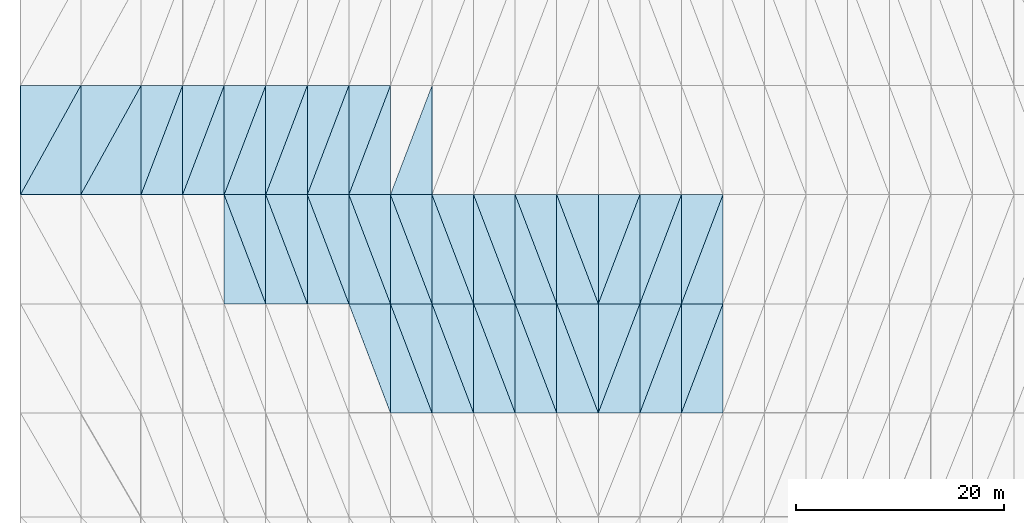
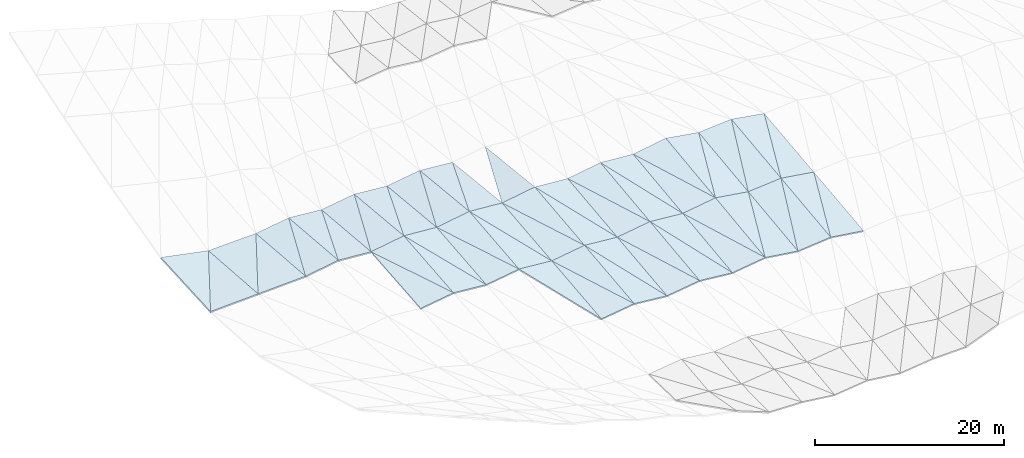
# One storey, part 26 of 42: 58 slabs, 3 elements without a shape of their own.
"""IFC4 building model written with IfcOpenShell, lengths in metres."""

from ifc_helpers import new_model, si_unit, direction, frame, origin, place, context, subcontext, project, spatial, polyline, outline, extrude, material, layer, layer_set, type_object, element, aggregate, save


model = new_model("IFC4")

# Units and contexts
model_context = context("Model", 3, precision=1e-05, world=origin(), true_north=direction((0.0, 1.0)))
body_context = subcontext(model_context, "Body", "Model", "MODEL_VIEW")
ifc_project = project(units=[si_unit("LENGTHUNIT", "METRE"), si_unit("AREAUNIT", "SQUARE_METRE"), si_unit("VOLUMEUNIT", "CUBIC_METRE"), si_unit("PLANEANGLEUNIT", "RADIAN"), si_unit("MASSUNIT", "GRAM", prefix="KILO")], contexts=[model_context])

# Site, building, storey
site_placement = place(None, origin())
site = spatial("IfcSite", under=ifc_project, at=site_placement, CompositionType="ELEMENT")
building_placement = place(site_placement, origin())
building = spatial("IfcBuilding", under=site, at=building_placement, Name="Khorjan Park Terminus", CompositionType="ELEMENT")
storey_placement = place(building_placement, frame((0.0, 0.0, 20.4)))
storey = spatial("IfcBuildingStorey", under=building, at=storey_placement, Name="L04", CompositionType="ELEMENT", Elevation=20.4)

# Roof, slabs
ifc_material = material(Name="Concrete C50/60", Category="concrete")
ifc_layer_1 = layer(ifc_material, 0.18)
ifc_layer_set_1 = layer_set([ifc_layer_1], Name="Concrete C50/60")
roof_type = type_object("IfcRoofType", Name="RF-SHELL-UPPER", PredefinedType="FREEFORM", material=ifc_layer_set_1)
roof_1_placement = place(storey_placement, origin())
roof_1 = element("IfcRoof", 1, at=roof_1_placement, inside=storey, type_object=roof_type, Name="Upper concourse upturned-corner folded concrete shell roof RF-CS1 (1)", PredefinedType="FREEFORM")
ifc_layer_2 = layer(ifc_material, 0.18)
ifc_layer_set_2 = layer_set([ifc_layer_2], Name="Concrete C50/60")
slab_type = type_object("IfcSlabType", Name="SL-SHL-180", PredefinedType="ROOF", material=ifc_layer_set_2)
slab_1_placement = place(storey_placement, frame((36.4, 57.0, 3.1516), z_axis=(-0.043506567638, 0.075417272788, 0.996202496251), x_axis=(0.999047722116, 0.0, 0.043630825519)))
slab_1 = element("IfcSlab", 2, at=slab_1_placement, type_object=slab_type, Name="Upper concourse folded concrete shell facet RS-18 (11)", PredefinedType="ROOF", context=body_context, shape_type="SweptSolid", body=[
    extrude(outline(polyline([(0.0, 0.0), (5.805528476374916, 0.0), (5.77084633316963, 10.529988753979877), (0.0, 0.0)])), origin(), (0.0, 0.0, -1.0), 0.18),
])
slab_2_placement = place(storey_placement, frame((36.4, 57.0, 3.1516), z_axis=(0.19527376683, -0.057364160891, 0.979069716125), x_axis=(0.483025953988, 0.874443537391, -0.045104630462)))
slab_2 = element("IfcSlab", 3, at=slab_2_placement, type_object=slab_type, Name="Upper concourse folded concrete shell facet RS-18 (12)", PredefinedType="ROOF", context=body_context, shape_type="SweptSolid", body=[
    extrude(outline(polyline([(0.0, 0.0), (12.007636343594022, -1.8041124150158794e-16), (9.153908773947816, 5.180195478767303), (0.0, 0.0)])), origin(), (0.0, 0.0, -1.0), 0.18),
])
slab_3_placement = place(storey_placement, frame((42.2, 57.0, 3.4049), z_axis=(-0.043486393893, 0.081299846148, 0.995740562879), x_axis=(0.999047722116, 0.0, 0.043630825519)))
slab_3 = element("IfcSlab", 4, at=slab_3_placement, type_object=slab_type, Name="Upper concourse folded concrete shell facet RS-18 (31)", PredefinedType="ROOF", context=body_context, shape_type="SweptSolid", body=[
    extrude(outline(polyline([(0.0, 0.0), (5.805528476374909, -3.469446951953614e-18), (5.76812376965722, 10.534873714379085), (0.0, 0.0)])), origin(), (0.0, 0.0, -1.0), 0.18),
])
slab_4_placement = place(storey_placement, frame((42.2, 57.0, 3.4049), z_axis=(-0.03280221704, 0.07544812666, 0.996610051495), x_axis=(0.482906257458, 0.874226845398, -0.050288858535)))
slab_4 = element("IfcSlab", 5, at=slab_4_placement, type_object=slab_type, Name="Upper concourse folded concrete shell facet RS-18 (32)", PredefinedType="ROOF", context=body_context, shape_type="SweptSolid", body=[
    extrude(outline(polyline([(0.0, 0.0), (12.010612640494237, 2.8449465006019636e-16), (9.219356490331657, 5.087762957742779), (0.0, 0.0)])), origin(), (0.0, 0.0, -1.0), 0.18),
])
slab_5_placement = place(storey_placement, frame((48.0, 57.0, 3.6582), z_axis=(-0.160231987454, 0.084325600184, 0.983470845196), x_axis=(0.986986239924, 0.0, 0.16080473314)))
slab_5 = element("IfcSlab", 6, at=slab_5_placement, type_object=slab_type, Name="Upper concourse folded concrete shell facet RS-18 (51)", PredefinedType="ROOF", context=body_context, shape_type="SweptSolid", body=[
    extrude(outline(polyline([(0.0, 0.0), (4.052741404284266, 6.938893903907228e-18), (3.9079689030386255, 10.537532017170012), (0.0, 0.0)])), origin(), (0.0, 0.0, -1.0), 0.18),
])
slab_6_placement = place(storey_placement, frame((48.0, 57.0, 3.6582), z_axis=(-0.149955326887, 0.08045668082, 0.985413680872), x_axis=(0.355908226068, 0.934259093429, -0.02211969625)))
slab_6 = element("IfcSlab", 7, at=slab_6_placement, type_object=slab_type, Name="Upper concourse folded concrete shell facet RS-18 (52)", PredefinedType="ROOF", context=body_context, shape_type="SweptSolid", body=[
    extrude(outline(polyline([(0.0, 0.0), (11.238852341765151, -3.608224830031759e-16), (9.828683696599835, 3.7923528425230444), (0.0, 0.0)])), origin(), (0.0, 0.0, -1.0), 0.18),
])
slab_7_placement = place(storey_placement, frame((52.0, 57.0, 4.3099), z_axis=(0.075059454177, 0.089234710484, 0.993178354971), x_axis=(0.997156385058, 0.0, -0.075360093801)))
slab_7 = element("IfcSlab", 8, at=slab_7_placement, type_object=slab_type, Name="Upper concourse folded concrete shell facet RS-18 (71)", PredefinedType="ROOF", context=body_context, shape_type="SweptSolid", body=[
    extrude(outline(polyline([(0.0, 0.0), (4.011406896588777, 3.469446951953614e-18), (4.082501609080427, 10.542056208437504), (0.0, 0.0)])), origin(), (0.0, 0.0, -1.0), 0.18),
])
slab_8_placement = place(storey_placement, frame((52.0, 57.0, 4.3099), z_axis=(0.0857176718, 0.08511497496, 0.992677148815), x_axis=(0.353827480175, 0.928797135458, -0.110190723013)))
slab_8 = element("IfcSlab", 9, at=slab_8_placement, type_object=slab_type, Name="Upper concourse folded concrete shell facet RS-18 (72)", PredefinedType="ROOF", context=body_context, shape_type="SweptSolid", body=[
    extrude(outline(polyline([(0.0, 0.0), (11.304944426665706, -6.938893903907228e-18), (9.851574630238854, 3.742595008123932), (0.0, 0.0)])), origin(), (0.0, 0.0, -1.0), 0.18),
])
slab_9_placement = place(storey_placement, frame((56.0, 46.5, 3.0642), z_axis=(-0.149853046941, -0.088476684571, 0.984741560314), x_axis=(0.988618677516, 0.0, 0.150443047251)))
slab_9 = element("IfcSlab", 10, at=slab_9_placement, type_object=slab_type, Name="Upper concourse folded concrete shell facet RS-18 (89)", PredefinedType="ROOF", context=body_context, shape_type="SweptSolid", body=[
    extrude(outline(polyline([(0.0, 0.0), (4.046049392926389, 0.0), (0.14192797077661495, 10.541340522491017), (0.0, 0.0)])), origin(), (0.0, 0.0, -1.0), 0.18),
])
slab_10_placement = place(storey_placement, frame((60.0, 46.5, 3.6729), z_axis=(-0.160141735554, -0.09233321476, 0.982766097292), x_axis=(0.0, 0.995615480577, 0.093540444913)))
slab_10 = element("IfcSlab", 11, at=slab_10_placement, type_object=slab_type, Name="Upper concourse folded concrete shell facet RS-18 (90)", PredefinedType="ROOF", context=body_context, shape_type="SweptSolid", body=[
    extrude(outline(polyline([(0.0, 0.0), (10.54624019496996, 0.0), (10.485270532975472, 4.052298846373042), (0.0, 0.0)])), origin(), (0.0, 0.0, -1.0), 0.18),
])
slab_11_placement = place(storey_placement, frame((56.0, 57.0, 4.0076), z_axis=(-0.160141735554, 0.09233321476, 0.982766097292), x_axis=(0.986982323482, 0.0, 0.160828769611)))
slab_11 = element("IfcSlab", 12, at=slab_11_placement, type_object=slab_type, Name="Upper concourse folded concrete shell facet RS-18 (91)", PredefinedType="ROOF", context=body_context, shape_type="SweptSolid", body=[
    extrude(outline(polyline([(0.0, 0.0), (4.052757485959406, -6.938893903907228e-18), (3.894099904737818, 10.5450467055353), (0.0, 0.0)])), origin(), (0.0, 0.0, -1.0), 0.18),
])
slab_12_placement = place(storey_placement, frame((56.0, 57.0, 4.0076), z_axis=(-0.149853046941, 0.088476684571, 0.984741560314), x_axis=(0.35583749182, 0.934073416027, -0.029774702128)))
slab_12 = element("IfcSlab", 13, at=slab_12_placement, type_object=slab_type, Name="Upper concourse folded concrete shell facet RS-18 (92)", PredefinedType="ROOF", context=body_context, shape_type="SweptSolid", body=[
    extrude(outline(polyline([(0.0, 0.0), (11.241086428366255, -4.163336342344337e-17), (9.835860322272186, 3.794187038187719), (0.0, 0.0)])), origin(), (0.0, 0.0, -1.0), 0.18),
])
slab_13_placement = place(storey_placement, frame((60.0, 46.5, 3.6729), z_axis=(0.085655436359, -0.093196666907, 0.991956414113), x_axis=(0.996292558823, 0.0, -0.086029862454)))
slab_13 = element("IfcSlab", 14, at=slab_13_placement, type_object=slab_type, Name="Upper concourse folded concrete shell facet RS-18 (109)", PredefinedType="ROOF", context=body_context, shape_type="SweptSolid", body=[
    extrude(outline(polyline([(0.0, 0.0), (4.014884949783742, -6.938893903907228e-18), (-0.0848684593112325, 10.545898709669752), (0.0, 0.0)])), origin(), (0.0, 0.0, -1.0), 0.18),
])
slab_14_placement = place(storey_placement, frame((64.0, 46.5, 3.3275), z_axis=(0.075002412752, -0.097314221658, 0.992423589172), x_axis=(0.0, 0.995226792439, 0.097589095761)))
slab_14 = element("IfcSlab", 15, at=slab_14_placement, type_object=slab_type, Name="Upper concourse folded concrete shell facet RS-18 (110)", PredefinedType="ROOF", context=body_context, shape_type="SweptSolid", body=[
    extrude(outline(polyline([(0.0, 0.0), (10.550359053605712, 1.3877787807814457e-17), (10.579860237254398, 4.011298414499142), (0.0, 0.0)])), origin(), (0.0, 0.0, -1.0), 0.18),
])
slab_15_placement = place(storey_placement, frame((60.0, 57.0, 4.6594), z_axis=(0.075002412752, 0.097314221658, 0.992423589172), x_axis=(0.997156385058, 0.0, -0.075360093801)))
slab_15 = element("IfcSlab", 16, at=slab_15_placement, type_object=slab_type, Name="Upper concourse folded concrete shell facet RS-18 (111)", PredefinedType="ROOF", context=body_context, shape_type="SweptSolid", body=[
    extrude(outline(polyline([(0.0, 0.0), (4.011406896588777, 3.469446951953614e-18), (4.088997649166053, 10.550073736003673), (0.0, 0.0)])), origin(), (0.0, 0.0, -1.0), 0.18),
])
slab_16_placement = place(storey_placement, frame((60.0, 57.0, 4.6594), z_axis=(0.085655436359, 0.093196666907, 0.991956414113), x_axis=(0.35352030815, 0.927990808895, -0.117713424606)))
slab_16 = element("IfcSlab", 17, at=slab_16_placement, type_object=slab_type, Name="Upper concourse folded concrete shell facet RS-18 (112)", PredefinedType="ROOF", context=body_context, shape_type="SweptSolid", body=[
    extrude(outline(polyline([(0.0, 0.0), (11.314767236227176, 3.885780586188048e-16), (9.860027786766928, 3.74206283942214), (0.0, 0.0)])), origin(), (0.0, 0.0, -1.0), 0.18),
])
slab_17_placement = place(storey_placement, frame((64.0, 46.5, 3.3275), z_axis=(-0.149717041847, -0.096489157808, 0.984009476482), x_axis=(0.988622353186, 0.0, 0.150418891037)))
slab_17 = element("IfcSlab", 18, at=slab_17_placement, type_object=slab_type, Name="Upper concourse folded concrete shell facet RS-18 (129)", PredefinedType="ROOF", context=body_context, shape_type="SweptSolid", body=[
    extrude(outline(polyline([(0.0, 0.0), (4.046034349829473, -6.938893903907228e-18), (0.15487129021196036, 10.549222295670335), (0.0, 0.0)])), origin(), (0.0, 0.0, -1.0), 0.18),
])
slab_18_placement = place(storey_placement, frame((68.0, 46.5, 3.9361), z_axis=(-0.159993449601, -0.100323679979, 0.982006749122), x_axis=(0.0, 0.994821970074, 0.101632907362)))
slab_18 = element("IfcSlab", 19, at=slab_18_placement, type_object=slab_type, Name="Upper concourse folded concrete shell facet RS-18 (130)", PredefinedType="ROOF", context=body_context, shape_type="SweptSolid", body=[
    extrude(outline(polyline([(0.0, 0.0), (10.554652305500166, 2.7755575615628914e-17), (10.488418139772538, 4.052200133913718), (0.0, 0.0)])), origin(), (0.0, 0.0, -1.0), 0.18),
])
slab_19_placement = place(storey_placement, frame((64.0, 57.0, 4.3571), z_axis=(-0.159993449601, 0.100323679979, 0.982006749122), x_axis=(0.986986239924, 0.0, 0.16080473314)))
slab_19 = element("IfcSlab", 20, at=slab_19_placement, type_object=slab_type, Name="Upper concourse folded concrete shell facet RS-18 (131)", PredefinedType="ROOF", context=body_context, shape_type="SweptSolid", body=[
    extrude(outline(polyline([(0.0, 0.0), (4.052741404284266, -2.7755575615628914e-17), (3.880246167045348, 10.553242662003463), (0.0, 0.0)])), origin(), (0.0, 0.0, -1.0), 0.18),
])
slab_20_placement = place(storey_placement, frame((64.0, 57.0, 4.3571), z_axis=(-0.149717041847, 0.096489157808, 0.984009476482), x_axis=(0.355745701415, 0.933832466215, -0.037442235074)))
slab_20 = element("IfcSlab", 21, at=slab_20_placement, type_object=slab_type, Name="Upper concourse folded concrete shell facet RS-18 (132)", PredefinedType="ROOF", context=body_context, shape_type="SweptSolid", body=[
    extrude(outline(polyline([(0.0, 0.0), (11.243986881884915, 3.469446951953614e-16), (9.843791420489929, 3.7960303778933184), (0.0, 0.0)])), origin(), (0.0, 0.0, -1.0), 0.18),
])
aggregate(roof_1, [slab_1, slab_2, slab_3, slab_4, slab_5, slab_6, slab_7, slab_8, slab_9, slab_10, slab_11, slab_12, slab_13, slab_14, slab_15, slab_16, slab_17, slab_18, slab_19, slab_20])

roof_2_placement = place(storey_placement, origin())
roof_2 = element("IfcRoof", 22, at=roof_2_placement, inside=storey, type_object=roof_type, Name="Upper concourse upturned-corner folded concrete shell roof RF-CS1 (2)", PredefinedType="FREEFORM")
slab_21_placement = place(storey_placement, frame((72.0, 36.0, 2.4751), z_axis=(0.085527220121, -0.105275158373, 0.990758414372), x_axis=(0.0, 0.994402068368, 0.105662322636)))
slab_21 = element("IfcSlab", 23, at=slab_21_placement, type_object=slab_type, Name="Upper concourse folded concrete shell facet RS-18 (148)", PredefinedType="ROOF", context=body_context, shape_type="SweptSolid", body=[
    extrude(outline(polyline([(0.0, 0.0), (10.559109171232203, 1.3877787807814457e-17), (10.595594371238432, 4.014710564932485), (0.0, 0.0)])), origin(), (0.0, 0.0, -1.0), 0.18),
])
slab_22_placement = place(storey_placement, frame((68.0, 46.5, 3.9361), z_axis=(0.085563070971, -0.101260194703, 0.991173715276), x_axis=(0.996294693349, 0.0, -0.086005139403)))
slab_22 = element("IfcSlab", 24, at=slab_22_placement, type_object=slab_type, Name="Upper concourse folded concrete shell facet RS-18 (149)", PredefinedType="ROOF", context=body_context, shape_type="SweptSolid", body=[
    extrude(outline(polyline([(0.0, 0.0), (4.014876348033647, -6.938893903907228e-18), (-0.09225771303801414, 10.554249087660619), (0.0, 0.0)])), origin(), (0.0, 0.0, -1.0), 0.18),
])
slab_23_placement = place(storey_placement, frame((72.0, 46.5, 3.5908), z_axis=(0.074940608988, -0.105365200067, 0.991605808645), x_axis=(0.0, 0.994402068368, 0.105662322636)))
slab_23 = element("IfcSlab", 25, at=slab_23_placement, type_object=slab_type, Name="Upper concourse folded concrete shell facet RS-18 (150)", PredefinedType="ROOF", context=body_context, shape_type="SweptSolid", body=[
    extrude(outline(polyline([(0.0, 0.0), (10.559109171232203, 2.7755575615628914e-17), (10.59105089136508, 4.011279723045371), (0.0, 0.0)])), origin(), (0.0, 0.0, -1.0), 0.18),
])
slab_24_placement = place(storey_placement, frame((68.0, 57.0, 5.0088), z_axis=(0.074940608988, 0.105365200067, 0.991605808645), x_axis=(0.997156385058, 0.0, -0.075360093801)))
slab_24 = element("IfcSlab", 26, at=slab_24_placement, type_object=slab_type, Name="Upper concourse folded concrete shell facet RS-18 (151)", PredefinedType="ROOF", context=body_context, shape_type="SweptSolid", body=[
    extrude(outline(polyline([(0.0, 0.0), (4.011406896588777, 0.0), (4.095486153242299, 10.55877441602957), (0.0, 0.0)])), origin(), (0.0, 0.0, -1.0), 0.18),
])
slab_25_placement = place(storey_placement, frame((68.0, 57.0, 5.0088), z_axis=(0.085563070971, 0.101260194703, 0.991173715276), x_axis=(0.353193862189, 0.927133888246, -0.125207224146)))
slab_25 = element("IfcSlab", 27, at=slab_25_placement, type_object=slab_type, Name="Upper concourse folded concrete shell facet RS-18 (152)", PredefinedType="ROOF", context=body_context, shape_type="SweptSolid", body=[
    extrude(outline(polyline([(0.0, 0.0), (11.325225119175336, -1.457167719820518e-16), (9.869215615922238, 3.7415596235308963), (0.0, 0.0)])), origin(), (0.0, 0.0, -1.0), 0.18),
])
slab_26_placement = place(storey_placement, frame((72.0, 36.0, 2.4751), z_axis=(-0.139238762803, -0.104633048871, 0.984715437077), x_axis=(0.990150474603, 0.0, 0.140007277109)))
slab_26 = element("IfcSlab", 28, at=slab_26_placement, type_object=slab_type, Name="Upper concourse folded concrete shell facet RS-18 (167)", PredefinedType="ROOF", context=body_context, shape_type="SweptSolid", body=[
    extrude(outline(polyline([(0.0, 0.0), (4.039790014344805, 0.0), (0.15620611907036103, 10.557953690860979), (0.0, 0.0)])), origin(), (0.0, 0.0, -1.0), 0.18),
])
slab_27_placement = place(storey_placement, frame((76.0, 36.0, 3.0407), z_axis=(-0.149531651523, -0.108453327462, 0.982791005736), x_axis=(0.0, 0.993966228284, 0.109686539877)))
slab_27 = element("IfcSlab", 29, at=slab_27_placement, type_object=slab_type, Name="Upper concourse folded concrete shell facet RS-18 (168)", PredefinedType="ROOF", context=body_context, shape_type="SweptSolid", body=[
    extrude(outline(polyline([(0.0, 0.0), (10.563739190741128, 0.0), (10.496983962571724, 4.045483617506324), (0.0, 0.0)])), origin(), (0.0, 0.0, -1.0), 0.18),
])
slab_28_placement = place(storey_placement, frame((72.0, 46.5, 3.5908), z_axis=(-0.149595752016, -0.104473330219, 0.983212303753), x_axis=(0.988622353186, 0.0, 0.150418891037)))
slab_28 = element("IfcSlab", 30, at=slab_28_placement, type_object=slab_type, Name="Upper concourse folded concrete shell facet RS-18 (169)", PredefinedType="ROOF", context=body_context, shape_type="SweptSolid", body=[
    extrude(outline(polyline([(0.0, 0.0), (4.046034349829473, -1.3877787807814457e-17), (0.16782235673026794, 10.55777543550636), (0.0, 0.0)])), origin(), (0.0, 0.0, -1.0), 0.18),
])
slab_29_placement = place(storey_placement, frame((76.0, 46.5, 4.1994), z_axis=(-0.15985918064, -0.108285184404, 0.98118263397), x_axis=(0.0, 0.993965196176, 0.109695892317)))
slab_29 = element("IfcSlab", 31, at=slab_29_placement, type_object=slab_type, Name="Upper concourse folded concrete shell facet RS-18 (170)", PredefinedType="ROOF", context=body_context, shape_type="SweptSolid", body=[
    extrude(outline(polyline([(0.0, 0.0), (10.563750159862737, 0.0), (10.492261346839747, 4.052110837528086), (0.0, 0.0)])), origin(), (0.0, 0.0, -1.0), 0.18),
])
slab_30_placement = place(storey_placement, frame((72.0, 57.0, 4.7065), z_axis=(-0.15985918064, 0.108285184404, 0.98118263397), x_axis=(0.986986239924, 0.0, 0.16080473314)))
slab_30 = element("IfcSlab", 32, at=slab_30_placement, type_object=slab_type, Name="Upper concourse folded concrete shell facet RS-18 (171)", PredefinedType="ROOF", context=body_context, shape_type="SweptSolid", body=[
    extrude(outline(polyline([(0.0, 0.0), (4.052741404284266, -1.3877787807814457e-17), (3.866400879522023, 10.562106544095803), (0.0, 0.0)])), origin(), (0.0, 0.0, -1.0), 0.18),
])
slab_31_placement = place(storey_placement, frame((76.0, 36.0, 3.0407), z_axis=(0.096067723655, -0.109179217693, 0.989368935684), x_axis=(0.995318870818, 0.0, -0.096645462356)))
slab_31 = element("IfcSlab", 33, at=slab_31_placement, type_object=slab_type, Name="Upper concourse folded concrete shell facet RS-18 (187)", PredefinedType="ROOF", context=body_context, shape_type="SweptSolid", body=[
    extrude(outline(polyline([(0.0, 0.0), (4.01881258085022, -1.3877787807814457e-17), (-0.11198309723236471, 10.563145624099587), (0.0, 0.0)])), origin(), (0.0, 0.0, -1.0), 0.18),
])
slab_32_placement = place(storey_placement, frame((80.0, 36.0, 2.6523), z_axis=(0.085451349086, -0.113298780999, 0.989879514468), x_axis=(0.0, 0.993513444635, 0.113714710263)))
slab_32 = element("IfcSlab", 34, at=slab_32_placement, type_object=slab_type, Name="Upper concourse folded concrete shell facet RS-18 (188)", PredefinedType="ROOF", context=body_context, shape_type="SweptSolid", body=[
    extrude(outline(polyline([(0.0, 0.0), (10.56855350745787, 1.3877787807814457e-17), (10.607819196911697, 4.014684333248595), (0.0, 0.0)])), origin(), (0.0, 0.0, -1.0), 0.18),
])
slab_33_placement = place(storey_placement, frame((76.0, 46.5, 4.1994), z_axis=(0.085489919992, -0.109294299545, 0.990326324838), x_axis=(0.996294693349, 0.0, -0.086005139403)))
slab_33 = element("IfcSlab", 35, at=slab_33_placement, type_object=slab_type, Name="Upper concourse folded concrete shell facet RS-18 (189)", PredefinedType="ROOF", context=body_context, shape_type="SweptSolid", body=[
    extrude(outline(polyline([(0.0, 0.0), (4.014876348033648, -1.3877787807814457e-17), (-0.09966275554064566, 10.563280019726736), (0.0, 0.0)])), origin(), (0.0, 0.0, -1.0), 0.18),
])
slab_34_placement = place(storey_placement, frame((80.0, 46.5, 3.8541), z_axis=(0.0748740157, -0.113395513215, 0.990724653653), x_axis=(0.0, 0.993513444635, 0.113714710263)))
slab_34 = element("IfcSlab", 36, at=slab_34_placement, type_object=slab_type, Name="Upper concourse folded concrete shell facet RS-18 (190)", PredefinedType="ROOF", context=body_context, shape_type="SweptSolid", body=[
    extrude(outline(polyline([(0.0, 0.0), (10.568553507457867, 1.3877787807814457e-17), (10.602929464370384, 4.011259600622521), (0.0, 0.0)])), origin(), (0.0, 0.0, -1.0), 0.18),
])
slab_35_placement = place(storey_placement, frame((80.0, 36.0, 2.6523), z_axis=(-0.139116744555, -0.112608946997, 0.983852507463), x_axis=(0.990150474603, 0.0, 0.140007277109)))
slab_35 = element("IfcSlab", 37, at=slab_35_placement, type_object=slab_type, Name="Upper concourse folded concrete shell facet RS-18 (207)", PredefinedType="ROOF", context=body_context, shape_type="SweptSolid", body=[
    extrude(outline(polyline([(0.0, 0.0), (4.039790014344805, 0.0), (0.16826074562943458, 10.567213992414475), (0.0, 0.0)])), origin(), (0.0, 0.0, -1.0), 0.18),
])
slab_36_placement = place(storey_placement, frame((84.0, 36.0, 3.2179), z_axis=(-0.149396287227, -0.116406740429, 0.981901329129), x_axis=(0.0, 0.993045884562, 0.11772795401)))
slab_36 = element("IfcSlab", 38, at=slab_36_placement, type_object=slab_type, Name="Upper concourse folded concrete shell facet RS-18 (208)", PredefinedType="ROOF", context=body_context, shape_type="SweptSolid", body=[
    extrude(outline(polyline([(0.0, 0.0), (10.573529545047862, 0.0), (10.501880312237535, 4.0453998995695954), (0.0, 0.0)])), origin(), (0.0, 0.0, -1.0), 0.18),
])
slab_37_placement = place(storey_placement, frame((80.0, 46.5, 3.8541), z_axis=(-0.149465057084, -0.112437353867, 0.982353316361), x_axis=(0.988622353186, 0.0, 0.150418891037)))
slab_37 = element("IfcSlab", 39, at=slab_37_placement, type_object=slab_type, Name="Upper concourse folded concrete shell facet RS-18 (209)", PredefinedType="ROOF", context=body_context, shape_type="SweptSolid", body=[
    extrude(outline(polyline([(0.0, 0.0), (4.046034349829473, -1.3877787807814457e-17), (0.18077342324857554, 10.567007344061373), (0.0, 0.0)])), origin(), (0.0, 0.0, -1.0), 0.18),
])
slab_38_placement = place(storey_placement, frame((84.0, 46.5, 4.4627), z_axis=(-0.159714927938, -0.116225908088, 0.980297240679), x_axis=(0.0, 0.99304477884, 0.117737280493)))
slab_38 = element("IfcSlab", 40, at=slab_38_placement, type_object=slab_type, Name="Upper concourse folded concrete shell facet RS-18 (210)", PredefinedType="ROOF", context=body_context, shape_type="SweptSolid", body=[
    extrude(outline(polyline([(0.0, 0.0), (10.573541318309585, -2.7755575615628914e-17), (10.496811932612182, 4.052014991503672), (0.0, 0.0)])), origin(), (0.0, 0.0, -1.0), 0.18),
])
slab_39_placement = place(storey_placement, frame((84.0, 36.0, 3.2179), z_axis=(0.096004075222, -0.117184161634, 0.988458946949), x_axis=(0.995316476949, 0.0, -0.096670112824)))
slab_39 = element("IfcSlab", 41, at=slab_39_placement, type_object=slab_type, Name="Upper concourse folded concrete shell facet RS-18 (227)", PredefinedType="ROOF", context=body_context, shape_type="SweptSolid", body=[
    extrude(outline(polyline([(0.0, 0.0), (4.01882224662898, 0.0), (-0.12033495644293618, 10.572844770366105), (0.0, 0.0)])), origin(), (0.0, 0.0, -1.0), 0.18),
])
slab_40_placement = place(storey_placement, frame((88.0, 36.0, 2.8294), z_axis=(0.085369967534, -0.121309578347, 0.988936780004), x_axis=(0.0, 0.992560299451, 0.121754063399)))
slab_40 = element("IfcSlab", 42, at=slab_40_placement, type_object=slab_type, Name="Upper concourse folded concrete shell facet RS-18 (228)", PredefinedType="ROOF", context=body_context, shape_type="SweptSolid", body=[
    extrude(outline(polyline([(0.0, 0.0), (10.578702377891156, 1.3877787807814457e-17), (10.620744055982932, 4.0146562228045415), (0.0, 0.0)])), origin(), (0.0, 0.0, -1.0), 0.18),
])
slab_41_placement = place(storey_placement, frame((84.0, 46.5, 4.4627), z_axis=(0.085411333623, -0.117307042022, 0.989415970146), x_axis=(0.996294693349, 0.0, -0.086005139403)))
slab_41 = element("IfcSlab", 43, at=slab_41_placement, type_object=slab_type, Name="Upper concourse folded concrete shell facet RS-18 (229)", PredefinedType="ROOF", context=body_context, shape_type="SweptSolid", body=[
    extrude(outline(polyline([(0.0, 0.0), (4.014876348033648, 0.0), (-0.10706779804327861, 10.572999219550816), (0.0, 0.0)])), origin(), (0.0, 0.0, -1.0), 0.18),
])
slab_42_placement = place(storey_placement, frame((88.0, 46.5, 4.1174), z_axis=(0.074802671681, -0.121403665054, 0.989780637526), x_axis=(0.0, 0.992561441781, 0.121744750559)))
slab_42 = element("IfcSlab", 44, at=slab_42_placement, type_object=slab_type, Name="Upper concourse folded concrete shell facet RS-18 (230)", PredefinedType="ROOF", context=body_context, shape_type="SweptSolid", body=[
    extrude(outline(polyline([(0.0, 0.0), (10.578690202950458, 0.0), (10.615493641044468, 4.011238062860949), (0.0, 0.0)])), origin(), (0.0, 0.0, -1.0), 0.18),
])
slab_43_placement = place(storey_placement, frame((88.0, 36.0, 2.8294), z_axis=(-0.138985859728, -0.120572362989, 0.982926872193), x_axis=(0.990150474603, 0.0, 0.140007277109)))
slab_43 = element("IfcSlab", 45, at=slab_43_placement, type_object=slab_type, Name="Upper concourse folded concrete shell facet RS-18 (247)", PredefinedType="ROOF", context=body_context, shape_type="SweptSolid", body=[
    extrude(outline(polyline([(0.0, 0.0), (4.039790014344805, -1.3877787807814457e-17), (0.18032937291621962, 10.5771652779591), (0.0, 0.0)])), origin(), (0.0, 0.0, -1.0), 0.18),
])
slab_44_placement = place(storey_placement, frame((92.0, 36.0, 3.395), z_axis=(-0.149251458595, -0.124347020572, 0.980949448536), x_axis=(0.0, 0.99206125592, 0.125755574441)))
slab_44 = element("IfcSlab", 46, at=slab_44_placement, type_object=slab_type, Name="Upper concourse folded concrete shell facet RS-18 (248)", PredefinedType="ROOF", context=body_context, shape_type="SweptSolid", body=[
    extrude(outline(polyline([(0.0, 0.0), (10.584023856738042, -2.7755575615628914e-17), (10.507489014133327, 4.045310417986173), (0.0, 0.0)])), origin(), (0.0, 0.0, -1.0), 0.18),
])
slab_45_placement = place(storey_placement, frame((88.0, 46.5, 4.1174), z_axis=(-0.149325031934, -0.120379768479, 0.981433006465), x_axis=(0.988622353186, 0.0, 0.150418891037)))
slab_45 = element("IfcSlab", 47, at=slab_45_placement, type_object=slab_type, Name="Upper concourse folded concrete shell facet RS-18 (249)", PredefinedType="ROOF", context=body_context, shape_type="SweptSolid", body=[
    extrude(outline(polyline([(0.0, 0.0), (4.046034349829473, -1.3877787807814457e-17), (0.19372448976688478, 10.576916243975113), (0.0, 0.0)])), origin(), (0.0, 0.0, -1.0), 0.18),
])
slab_46_placement = place(storey_placement, frame((92.0, 46.5, 4.726), z_axis=(-0.159560773684, -0.124144407534, 0.979351073711), x_axis=(0.0, 0.99206125592, 0.125755574441)))
slab_46 = element("IfcSlab", 48, at=slab_46_placement, type_object=slab_type, Name="Upper concourse folded concrete shell facet RS-18 (250)", PredefinedType="ROOF", context=body_context, shape_type="SweptSolid", body=[
    extrude(outline(polyline([(0.0, 0.0), (10.584023856738042, 0.0), (10.502068948874925, 4.0519126697248975), (0.0, 0.0)])), origin(), (0.0, 0.0, -1.0), 0.18),
])
slab_47_placement = place(storey_placement, frame((92.0, 36.0, 3.395), z_axis=(0.138985859728, -0.120572362989, 0.982926872193), x_axis=(0.990150474603, 0.0, -0.140007277109)))
slab_47 = element("IfcSlab", 49, at=slab_47_placement, type_object=slab_type, Name="Upper concourse folded concrete shell facet RS-18 (267)", PredefinedType="ROOF", context=body_context, shape_type="SweptSolid", body=[
    extrude(outline(polyline([(0.0, 0.0), (4.039790014344805, 1.3877787807814457e-17), (3.859460641428586, 10.5771652779591), (0.0, 0.0)])), origin(), (0.0, 0.0, -1.0), 0.18),
])
slab_48_placement = place(storey_placement, frame((92.0, 36.0, 3.395), z_axis=(0.149251458595, -0.124347020572, 0.980949448536), x_axis=(0.355261837, 0.932562322124, 0.064160287762)))
slab_48 = element("IfcSlab", 50, at=slab_48_placement, type_object=slab_type, Name="Upper concourse folded concrete shell facet RS-18 (268)", PredefinedType="ROOF", context=body_context, shape_type="SweptSolid", body=[
    extrude(outline(polyline([(0.0, 0.0), (11.259301122183384, 3.885780586188048e-16), (9.877301725316505, 3.8026926811221005), (0.0, 0.0)])), origin(), (0.0, 0.0, -1.0), 0.18),
])
slab_49_placement = place(storey_placement, frame((92.0, 46.5, 4.726), z_axis=(0.149325031934, -0.120379768479, 0.981433006465), x_axis=(0.988622353186, 0.0, -0.150418891037)))
slab_49 = element("IfcSlab", 51, at=slab_49_placement, type_object=slab_type, Name="Upper concourse folded concrete shell facet RS-18 (269)", PredefinedType="ROOF", context=body_context, shape_type="SweptSolid", body=[
    extrude(outline(polyline([(0.0, 0.0), (4.046034349829473, 1.3877787807814457e-17), (3.8523098600625882, 10.576916243975113), (0.0, 0.0)])), origin(), (0.0, 0.0, -1.0), 0.18),
])
slab_50_placement = place(storey_placement, frame((92.0, 46.5, 4.726), z_axis=(0.159560773684, -0.124144407534, 0.979351073711), x_axis=(0.355346517476, 0.932784608375, 0.06034672233)))
slab_50 = element("IfcSlab", 52, at=slab_50_placement, type_object=slab_type, Name="Upper concourse folded concrete shell facet RS-18 (270)", PredefinedType="ROOF", context=body_context, shape_type="SweptSolid", body=[
    extrude(outline(polyline([(0.0, 0.0), (11.256617986322533, -2.220446049250313e-16), (9.874559875360339, 3.809806854411862), (0.0, 0.0)])), origin(), (0.0, 0.0, -1.0), 0.18),
])
aggregate(roof_2, [slab_21, slab_22, slab_23, slab_24, slab_25, slab_26, slab_27, slab_28, slab_29, slab_30, slab_31, slab_32, slab_33, slab_34, slab_35, slab_36, slab_37, slab_38, slab_39, slab_40, slab_41, slab_42, slab_43, slab_44, slab_45, slab_46, slab_47, slab_48, slab_49, slab_50])

roof_3_placement = place(storey_placement, origin())
roof_3 = element("IfcRoof", 53, at=roof_3_placement, inside=storey, type_object=roof_type, Name="Upper concourse upturned-corner folded concrete shell roof RF-CS1 (3)", PredefinedType="FREEFORM")
slab_51_placement = place(storey_placement, frame((96.0, 36.0, 2.8294), z_axis=(-0.096004075222, -0.117184161634, 0.988458946949), x_axis=(0.995316476949, 0.0, 0.096670112824)))
slab_51 = element("IfcSlab", 54, at=slab_51_placement, type_object=slab_type, Name="Upper concourse folded concrete shell facet RS-18 (287)", PredefinedType="ROOF", context=body_context, shape_type="SweptSolid", body=[
    extrude(outline(polyline([(0.0, 0.0), (4.01882224662898, 0.0), (4.139157203071916, 10.572844770366105), (0.0, 0.0)])), origin(), (0.0, 0.0, -1.0), 0.18),
])
slab_52_placement = place(storey_placement, frame((96.0, 36.0, 2.8294), z_axis=(-0.085369967534, -0.121309578347, 0.988936780004), x_axis=(0.352292801626, 0.924768604269, 0.143849958224)))
slab_52 = element("IfcSlab", 55, at=slab_52_placement, type_object=slab_type, Name="Upper concourse folded concrete shell facet RS-18 (288)", PredefinedType="ROOF", context=body_context, shape_type="SweptSolid", body=[
    extrude(outline(polyline([(0.0, 0.0), (11.354191688094755, -2.7755575615628914e-16), (9.895349091015133, 3.74045590362271), (0.0, 0.0)])), origin(), (0.0, 0.0, -1.0), 0.18),
])
slab_53_placement = place(storey_placement, frame((96.0, 46.5, 4.1174), z_axis=(-0.085411333623, -0.117307042022, 0.989415970146), x_axis=(0.996294693349, 0.0, 0.086005139403)))
slab_53 = element("IfcSlab", 56, at=slab_53_placement, type_object=slab_type, Name="Upper concourse folded concrete shell facet RS-18 (289)", PredefinedType="ROOF", context=body_context, shape_type="SweptSolid", body=[
    extrude(outline(polyline([(0.0, 0.0), (4.014876348033648, -6.938893903907228e-18), (4.121944146076927, 10.572999219550816), (0.0, 0.0)])), origin(), (0.0, 0.0, -1.0), 0.18),
])
slab_54_placement = place(storey_placement, frame((96.0, 46.5, 4.1174), z_axis=(-0.074802671681, -0.121403665054, 0.989780637526), x_axis=(0.352482785821, 0.925267312781, 0.140129531503)))
slab_54 = element("IfcSlab", 57, at=slab_54_placement, type_object=slab_type, Name="Upper concourse folded concrete shell facet RS-18 (290)", PredefinedType="ROOF", context=body_context, shape_type="SweptSolid", body=[
    extrude(outline(polyline([(0.0, 0.0), (11.348071908478552, 3.2612801348363973e-16), (9.895779607820263, 3.7392823326741), (0.0, 0.0)])), origin(), (0.0, 0.0, -1.0), 0.18),
])
slab_55_placement = place(storey_placement, frame((100.0, 36.0, 3.2179), z_axis=(0.139116744555, -0.112608946997, 0.983852507463), x_axis=(0.990150474603, 0.0, -0.140007277109)))
slab_55 = element("IfcSlab", 58, at=slab_55_placement, type_object=slab_type, Name="Upper concourse folded concrete shell facet RS-18 (307)", PredefinedType="ROOF", context=body_context, shape_type="SweptSolid", body=[
    extrude(outline(polyline([(0.0, 0.0), (4.039790014344805, 0.0), (3.871529268715371, 10.567213992414475), (0.0, 0.0)])), origin(), (0.0, 0.0, -1.0), 0.18),
])
slab_56_placement = place(storey_placement, frame((100.0, 36.0, 3.2179), z_axis=(0.149396287227, -0.116406740429, 0.981901329129), x_axis=(0.355426045485, 0.932993369399, 0.056530512534)))
slab_56 = element("IfcSlab", 59, at=slab_56_placement, type_object=slab_type, Name="Upper concourse folded concrete shell facet RS-18 (308)", PredefinedType="ROOF", context=body_context, shape_type="SweptSolid", body=[
    extrude(outline(polyline([(0.0, 0.0), (11.254099272709478, 6.38378239159465e-16), (9.866799560696085, 3.800762222113817), (0.0, 0.0)])), origin(), (0.0, 0.0, -1.0), 0.18),
])
slab_57_placement = place(storey_placement, frame((100.0, 46.5, 4.4627), z_axis=(0.149465057084, -0.112437353867, 0.982353316361), x_axis=(0.988622353186, 0.0, -0.150418891037)))
slab_57 = element("IfcSlab", 60, at=slab_57_placement, type_object=slab_type, Name="Upper concourse folded concrete shell facet RS-18 (309)", PredefinedType="ROOF", context=body_context, shape_type="SweptSolid", body=[
    extrude(outline(polyline([(0.0, 0.0), (4.046034349829473, 1.3877787807814457e-17), (3.8652609265808966, 10.567007344061373), (0.0, 0.0)])), origin(), (0.0, 0.0, -1.0), 0.18),
])
slab_58_placement = place(storey_placement, frame((100.0, 46.5, 4.4627), z_axis=(0.159714927938, -0.116225908088, 0.980297240679), x_axis=(0.355500244035, 0.933188140591, 0.05272068619)))
slab_58 = element("IfcSlab", 61, at=slab_58_placement, type_object=slab_type, Name="Upper concourse folded concrete shell facet RS-18 (310)", PredefinedType="ROOF", context=body_context, shape_type="SweptSolid", body=[
    extrude(outline(polyline([(0.0, 0.0), (11.251750363387911, -5.412337245047638e-16), (9.864107458440028, 3.8077762615925583), (0.0, 0.0)])), origin(), (0.0, 0.0, -1.0), 0.18),
])
aggregate(roof_3, [slab_51, slab_52, slab_53, slab_54, slab_55, slab_56, slab_57, slab_58])

save(model, "model.ifc")
